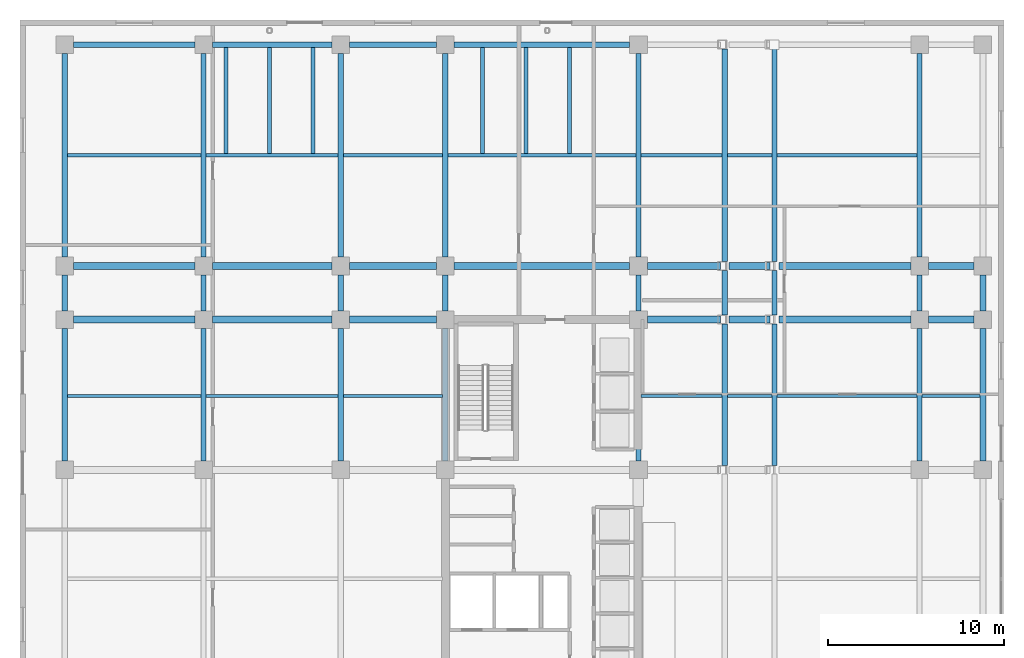
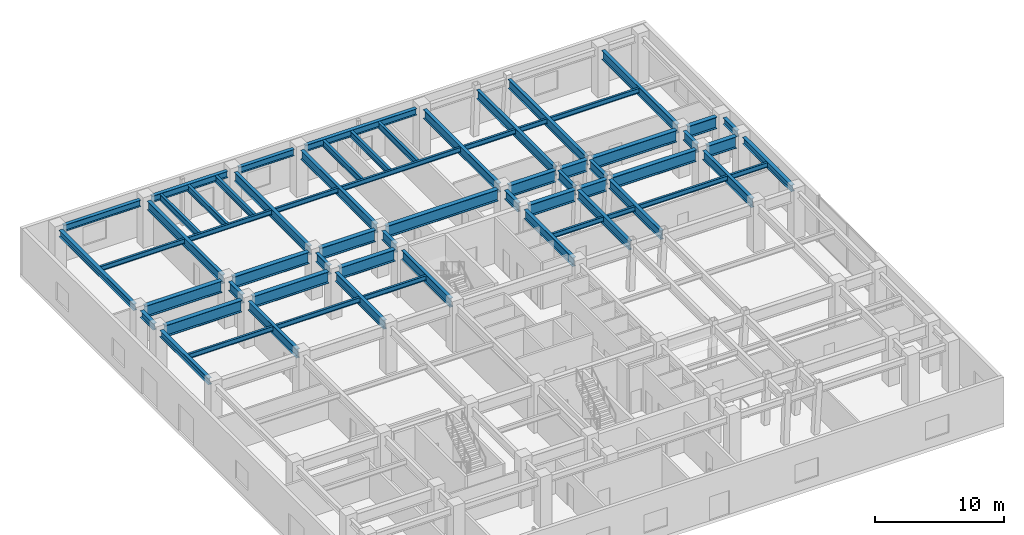
# One storey, part 6 of 13: 65 beams.
"""IFC4 building model written with IfcOpenShell, lengths in metres."""

from ifc_helpers import new_model, si_unit, direction, frame, origin, origin_2d, place, context, subcontext, project, spatial, i_section, extrude, material, material_profile, profile_set, type_object, element, save


model = new_model("IFC4")

# Units and contexts
model_context = context("Model", 3, precision=1e-05, world=origin(), true_north=direction((0.0, 1.0)))
body_context = subcontext(model_context, "Body", "Model", "MODEL_VIEW")
ifc_project = project(units=[si_unit("LENGTHUNIT", "METRE"), si_unit("AREAUNIT", "SQUARE_METRE"), si_unit("VOLUMEUNIT", "CUBIC_METRE"), si_unit("PLANEANGLEUNIT", "RADIAN"), si_unit("MASSUNIT", "GRAM", prefix="KILO")], contexts=[model_context])

# Site, building, storey
site_placement = place(None, origin())
site = spatial("IfcSite", under=ifc_project, at=site_placement, CompositionType="ELEMENT")
building_placement = place(site_placement, origin())
building = spatial("IfcBuilding", under=site, at=building_placement, Name="Ochreholt Gables", CompositionType="ELEMENT")
storey_placement = place(building_placement, origin())
storey = spatial("IfcBuildingStorey", under=building, at=storey_placement, Name="L00", CompositionType="ELEMENT", Elevation=0.0)

# Beams
ifc_material = material(Name="Steel CSA G40.21 350W", Category="steel")
ifc_material_profile_1 = material_profile(ifc_material, i_section(OverallWidth=0.39990234375, OverallDepth=1.10009765625, WebThickness=0.02001953125, FlangeThickness=0.035888671875, at=origin_2d()), Name="W1100X390")
ifc_profile_set_1 = profile_set([ifc_material_profile_1], Name="Steel CSA G40.21 350W")
beam_type_1 = type_object("IfcBeamType", Name="BM-G-W1100", PredefinedType="BEAM", material=ifc_profile_set_1)
beam_1_placement = place(storey_placement, frame((3.049560546875, 38.75, 3.840087890625), z_axis=(1.0, 0.0, 0.0), x_axis=(0.0, 1.0, 0.0)))
element("IfcBeam", 1, at=beam_1_placement, inside=storey, type_object=beam_type_1, Name="L00 Beam BG-L00-W1W2-Y5", PredefinedType="BEAM", context=body_context, shape_type="SweptSolid", body=[
    extrude(i_section(OverallWidth=0.39990234375, OverallDepth=1.10009765625, WebThickness=0.02001953125, FlangeThickness=0.035888671875, at=origin_2d()), origin(), (0.0, 0.0, 1.0), 6.90087890625),
])
beam_2_placement = place(storey_placement, frame((10.94970703125, 38.75, 3.840087890625), z_axis=(1.0, 0.0, 0.0), x_axis=(0.0, 1.0, 0.0)))
element("IfcBeam", 2, at=beam_2_placement, inside=storey, type_object=beam_type_1, Name="L00 Beam BG-L00-W2W3-Y5", PredefinedType="BEAM", context=body_context, shape_type="SweptSolid", body=[
    extrude(i_section(OverallWidth=0.39990234375, OverallDepth=1.10009765625, WebThickness=0.02001953125, FlangeThickness=0.035888671875, at=origin_2d()), origin(), (0.0, 0.0, 1.0), 6.80078125),
])
beam_3_placement = place(storey_placement, frame((18.74951171875, 38.75, 3.840087890625), z_axis=(1.0, 0.0, 0.0), x_axis=(0.0, 1.0, 0.0)))
element("IfcBeam", 3, at=beam_3_placement, inside=storey, type_object=beam_type_1, Name="L00 Beam BG-L00-W3C1-Y5", PredefinedType="BEAM", context=body_context, shape_type="SweptSolid", body=[
    extrude(i_section(OverallWidth=0.39990234375, OverallDepth=1.10009765625, WebThickness=0.02001953125, FlangeThickness=0.035888671875, at=origin_2d()), origin(), (0.0, 0.0, 1.0), 4.950927734375),
])
beam_4_placement = place(storey_placement, frame((35.69970703125, 38.75, 3.840087890625), z_axis=(1.0, 0.0, 0.0), x_axis=(0.0, 1.0, 0.0)))
element("IfcBeam", 4, at=beam_4_placement, inside=storey, type_object=beam_type_1, Name="L00 Beam BG-L00-C2EM-Y5", PredefinedType="BEAM", context=body_context, shape_type="SweptSolid", body=[
    extrude(i_section(OverallWidth=0.39990234375, OverallDepth=1.10009765625, WebThickness=0.02001953125, FlangeThickness=0.035888671875, at=origin_2d()), origin(), (0.0, 0.0, 1.0), 4.15478515625),
])
beam_5_placement = place(storey_placement, frame((40.353515625, 38.75, 3.840087890625), z_axis=(1.0, 0.0, 0.0), x_axis=(0.0, 1.0, 0.0)))
element("IfcBeam", 5, at=beam_5_placement, inside=storey, type_object=beam_type_1, Name="L00 Beam BG-L00-EMEE-Y5", PredefinedType="BEAM", context=body_context, shape_type="SweptSolid", body=[
    extrude(i_section(OverallWidth=0.39990234375, OverallDepth=1.10009765625, WebThickness=0.02001953125, FlangeThickness=0.035888671875, at=origin_2d()), origin(), (0.0, 0.0, 1.0), 2.33203125),
])
beam_6_placement = place(storey_placement, frame((43.184814453125, 38.75, 3.840087890625), z_axis=(1.0, 0.0, 0.0), x_axis=(0.0, 1.0, 0.0)))
element("IfcBeam", 6, at=beam_6_placement, inside=storey, type_object=beam_type_1, Name="L00 Beam BG-L00-EEE3-Y5", PredefinedType="BEAM", context=body_context, shape_type="SweptSolid", body=[
    extrude(i_section(OverallWidth=0.39990234375, OverallDepth=1.10009765625, WebThickness=0.02001953125, FlangeThickness=0.035888671875, at=origin_2d()), origin(), (0.0, 0.0, 1.0), 7.515625),
])
beam_7_placement = place(storey_placement, frame((51.69970703125, 38.75, 3.840087890625), z_axis=(1.0, 0.0, 0.0), x_axis=(0.0, 1.0, 0.0)))
element("IfcBeam", 7, at=beam_7_placement, inside=storey, type_object=beam_type_1, Name="L00 Beam BG-L00-E3E4-Y5", PredefinedType="BEAM", context=body_context, shape_type="SweptSolid", body=[
    extrude(i_section(OverallWidth=0.39990234375, OverallDepth=1.10009765625, WebThickness=0.02001953125, FlangeThickness=0.035888671875, at=origin_2d()), origin(), (0.0, 0.0, 1.0), 2.6005859375),
])
beam_8_placement = place(storey_placement, frame((3.049560546875, 41.800048828125, 3.840087890625), z_axis=(1.0, 0.0, 0.0), x_axis=(0.0, 1.0, 0.0)))
element("IfcBeam", 8, at=beam_8_placement, inside=storey, type_object=beam_type_1, Name="L00 Beam BG-L00-W1W2-Y6", PredefinedType="BEAM", context=body_context, shape_type="SweptSolid", body=[
    extrude(i_section(OverallWidth=0.39990234375, OverallDepth=1.10009765625, WebThickness=0.02001953125, FlangeThickness=0.035888671875, at=origin_2d()), origin(), (0.0, 0.0, 1.0), 6.90087890625),
])
beam_9_placement = place(storey_placement, frame((10.94970703125, 41.800048828125, 3.840087890625), z_axis=(1.0, 0.0, 0.0), x_axis=(0.0, 1.0, 0.0)))
element("IfcBeam", 9, at=beam_9_placement, inside=storey, type_object=beam_type_1, Name="L00 Beam BG-L00-W2W3-Y6", PredefinedType="BEAM", context=body_context, shape_type="SweptSolid", body=[
    extrude(i_section(OverallWidth=0.39990234375, OverallDepth=1.10009765625, WebThickness=0.02001953125, FlangeThickness=0.035888671875, at=origin_2d()), origin(), (0.0, 0.0, 1.0), 6.80078125),
])
beam_10_placement = place(storey_placement, frame((18.74951171875, 41.800048828125, 3.840087890625), z_axis=(1.0, 0.0, 0.0), x_axis=(0.0, 1.0, 0.0)))
element("IfcBeam", 10, at=beam_10_placement, inside=storey, type_object=beam_type_1, Name="L00 Beam BG-L00-W3C1-Y6", PredefinedType="BEAM", context=body_context, shape_type="SweptSolid", body=[
    extrude(i_section(OverallWidth=0.39990234375, OverallDepth=1.10009765625, WebThickness=0.02001953125, FlangeThickness=0.035888671875, at=origin_2d()), origin(), (0.0, 0.0, 1.0), 4.950927734375),
])
beam_11_placement = place(storey_placement, frame((24.69970703125, 41.800048828125, 3.840087890625), z_axis=(1.0, 0.0, 0.0), x_axis=(0.0, 1.0, 0.0)))
element("IfcBeam", 11, at=beam_11_placement, inside=storey, type_object=beam_type_1, Name="L00 Beam BG-L00-C1C2-Y6", PredefinedType="BEAM", context=body_context, shape_type="SweptSolid", body=[
    extrude(i_section(OverallWidth=0.39990234375, OverallDepth=1.10009765625, WebThickness=0.02001953125, FlangeThickness=0.035888671875, at=origin_2d()), origin(), (0.0, 0.0, 1.0), 10.000732421875),
])
beam_12_placement = place(storey_placement, frame((35.69970703125, 41.800048828125, 3.840087890625), z_axis=(1.0, 0.0, 0.0), x_axis=(0.0, 1.0, 0.0)))
element("IfcBeam", 12, at=beam_12_placement, inside=storey, type_object=beam_type_1, Name="L00 Beam BG-L00-C2EM-Y6", PredefinedType="BEAM", context=body_context, shape_type="SweptSolid", body=[
    extrude(i_section(OverallWidth=0.39990234375, OverallDepth=1.10009765625, WebThickness=0.02001953125, FlangeThickness=0.035888671875, at=origin_2d()), origin(), (0.0, 0.0, 1.0), 4.15478515625),
])
beam_13_placement = place(storey_placement, frame((40.353515625, 41.800048828125, 3.840087890625), z_axis=(1.0, 0.0, 0.0), x_axis=(0.0, 1.0, 0.0)))
element("IfcBeam", 13, at=beam_13_placement, inside=storey, type_object=beam_type_1, Name="L00 Beam BG-L00-EMEE-Y6", PredefinedType="BEAM", context=body_context, shape_type="SweptSolid", body=[
    extrude(i_section(OverallWidth=0.39990234375, OverallDepth=1.10009765625, WebThickness=0.02001953125, FlangeThickness=0.035888671875, at=origin_2d()), origin(), (0.0, 0.0, 1.0), 2.33203125),
])
beam_14_placement = place(storey_placement, frame((43.184814453125, 41.800048828125, 3.840087890625), z_axis=(1.0, 0.0, 0.0), x_axis=(0.0, 1.0, 0.0)))
element("IfcBeam", 14, at=beam_14_placement, inside=storey, type_object=beam_type_1, Name="L00 Beam BG-L00-EEE3-Y6", PredefinedType="BEAM", context=body_context, shape_type="SweptSolid", body=[
    extrude(i_section(OverallWidth=0.39990234375, OverallDepth=1.10009765625, WebThickness=0.02001953125, FlangeThickness=0.035888671875, at=origin_2d()), origin(), (0.0, 0.0, 1.0), 7.515625),
])
beam_15_placement = place(storey_placement, frame((51.69970703125, 41.800048828125, 3.840087890625), z_axis=(1.0, 0.0, 0.0), x_axis=(0.0, 1.0, 0.0)))
element("IfcBeam", 15, at=beam_15_placement, inside=storey, type_object=beam_type_1, Name="L00 Beam BG-L00-E3E4-Y6", PredefinedType="BEAM", context=body_context, shape_type="SweptSolid", body=[
    extrude(i_section(OverallWidth=0.39990234375, OverallDepth=1.10009765625, WebThickness=0.02001953125, FlangeThickness=0.035888671875, at=origin_2d()), origin(), (0.0, 0.0, 1.0), 2.6005859375),
])
ifc_material_profile_2 = material_profile(ifc_material, i_section(OverallWidth=0.22900390625, OverallDepth=0.612060546875, WebThickness=0.011962890625, FlangeThickness=0.01953125, at=origin_2d()), Name="W610X125")
ifc_profile_set_2 = profile_set([ifc_material_profile_2], Name="Steel CSA G40.21 350W")
beam_type_2 = type_object("IfcBeamType", Name="BM-G-W610B", PredefinedType="BEAM", material=ifc_profile_set_2)
for number, where, z_axis, x_axis, name in (
    (16, (11.719970703125, 48.194580078125, 4.083984375), (0.0, 1.0, 0.0), (-1.0, 0.0, 0.0), "L00 Beam BTG-L00-N1W"),
    (17, (14.199951171875, 48.194580078125, 4.083984375), (0.0, 1.0, 0.0), (-1.0, 0.0, 0.0), "L00 Beam BTG-L00-N1R"),
    (18, (16.679931640625, 48.194580078125, 4.083984375), (0.0, 1.0, 0.0), (-1.0, 0.0, 0.0), "L00 Beam BTG-L00-N1E"),
    (19, (26.320068359375, 48.194580078125, 4.083984375), (0.0, 1.0, 0.0), (-1.0, 0.0, 0.0), "L00 Beam BTG-L00-N2W"),
    (20, (28.800048828125, 48.194580078125, 4.083984375), (0.0, 1.0, 0.0), (-1.0, 0.0, 0.0), "L00 Beam BTG-L00-N2R"),
    (21, (31.280029296875, 48.194580078125, 4.083984375), (0.0, 1.0, 0.0), (-1.0, 0.0, 0.0), "L00 Beam BTG-L00-N2E"),
):
    element("IfcBeam", number, at=place(storey_placement, frame(where, z_axis=z_axis, x_axis=x_axis)), inside=storey, type_object=beam_type_2, Name=name, PredefinedType="BEAM", context=body_context, shape_type="SweptSolid", body=[
        extrude(i_section(OverallWidth=0.22900390625, OverallDepth=0.612060546875, WebThickness=0.011962890625, FlangeThickness=0.01953125, at=origin_2d()), origin(), (0.0, 0.0, 1.0), 6.043701171875),
    ])
ifc_material_profile_3 = material_profile(ifc_material, i_section(OverallWidth=0.2939453125, OverallDepth=0.85107421875, WebThickness=0.01611328125, FlangeThickness=0.02685546875, at=origin_2d()), Name="W840X226")
ifc_profile_set_3 = profile_set([ifc_material_profile_3], Name="Steel CSA G40.21 350W")
beam_type_3 = type_object("IfcBeamType", Name="BM-G-W840", PredefinedType="BEAM", material=ifc_profile_set_3)
beam_16_placement = place(storey_placement, frame((10.449951171875, 30.69970703125, 3.964599609375), z_axis=(0.0, 1.0, 0.0), x_axis=(-1.0, 0.0, 0.0)))
element("IfcBeam", 22, at=beam_16_placement, inside=storey, type_object=beam_type_3, Name="L00 Beam BG-L00-W2-Y4Y5", PredefinedType="BEAM", context=body_context, shape_type="SweptSolid", body=[
    extrude(i_section(OverallWidth=0.2939453125, OverallDepth=0.85107421875, WebThickness=0.01611328125, FlangeThickness=0.02685546875, at=origin_2d()), origin(), (0.0, 0.0, 1.0), 7.55078125),
])
beam_17_placement = place(storey_placement, frame((10.449951171875, 39.24951171875, 3.964599609375), z_axis=(0.0, 1.0, 0.0), x_axis=(-1.0, 0.0, 0.0)))
element("IfcBeam", 23, at=beam_17_placement, inside=storey, type_object=beam_type_3, Name="L00 Beam BG-L00-W2-Y5Y6", PredefinedType="BEAM", context=body_context, shape_type="SweptSolid", body=[
    extrude(i_section(OverallWidth=0.2939453125, OverallDepth=0.85107421875, WebThickness=0.01611328125, FlangeThickness=0.02685546875, at=origin_2d()), origin(), (0.0, 0.0, 1.0), 2.05078125),
])
beam_18_placement = place(storey_placement, frame((10.449951171875, 42.299560546875, 3.964599609375), z_axis=(0.0, 1.0, 0.0), x_axis=(-1.0, 0.0, 0.0)))
element("IfcBeam", 24, at=beam_18_placement, inside=storey, type_object=beam_type_3, Name="L00 Beam BG-L00-W2-Y6Y7", PredefinedType="BEAM", context=body_context, shape_type="SweptSolid", body=[
    extrude(i_section(OverallWidth=0.2939453125, OverallDepth=0.85107421875, WebThickness=0.01611328125, FlangeThickness=0.02685546875, at=origin_2d()), origin(), (0.0, 0.0, 1.0), 11.600830078125),
])
beam_19_placement = place(storey_placement, frame((18.25, 30.69970703125, 3.964599609375), z_axis=(0.0, 1.0, 0.0), x_axis=(-1.0, 0.0, 0.0)))
element("IfcBeam", 25, at=beam_19_placement, inside=storey, type_object=beam_type_3, Name="L00 Beam BG-L00-W3-Y4Y5", PredefinedType="BEAM", context=body_context, shape_type="SweptSolid", body=[
    extrude(i_section(OverallWidth=0.2939453125, OverallDepth=0.85107421875, WebThickness=0.01611328125, FlangeThickness=0.02685546875, at=origin_2d()), origin(), (0.0, 0.0, 1.0), 7.55078125),
])
beam_20_placement = place(storey_placement, frame((18.25, 39.24951171875, 3.964599609375), z_axis=(0.0, 1.0, 0.0), x_axis=(-1.0, 0.0, 0.0)))
element("IfcBeam", 26, at=beam_20_placement, inside=storey, type_object=beam_type_3, Name="L00 Beam BG-L00-W3-Y5Y6", PredefinedType="BEAM", context=body_context, shape_type="SweptSolid", body=[
    extrude(i_section(OverallWidth=0.2939453125, OverallDepth=0.85107421875, WebThickness=0.01611328125, FlangeThickness=0.02685546875, at=origin_2d()), origin(), (0.0, 0.0, 1.0), 2.05078125),
])
beam_21_placement = place(storey_placement, frame((18.25, 42.299560546875, 3.964599609375), z_axis=(0.0, 1.0, 0.0), x_axis=(-1.0, 0.0, 0.0)))
element("IfcBeam", 27, at=beam_21_placement, inside=storey, type_object=beam_type_3, Name="L00 Beam BG-L00-W3-Y6Y7", PredefinedType="BEAM", context=body_context, shape_type="SweptSolid", body=[
    extrude(i_section(OverallWidth=0.2939453125, OverallDepth=0.85107421875, WebThickness=0.01611328125, FlangeThickness=0.02685546875, at=origin_2d()), origin(), (0.0, 0.0, 1.0), 11.600830078125),
])
beam_22_placement = place(storey_placement, frame((24.199951171875, 30.69970703125, 3.964599609375), z_axis=(0.0, 1.0, 0.0), x_axis=(-1.0, 0.0, 0.0)))
element("IfcBeam", 28, at=beam_22_placement, inside=storey, type_object=beam_type_3, Name="L00 Beam BG-L00-C1-Y4Y5", PredefinedType="BEAM", context=body_context, shape_type="SweptSolid", body=[
    extrude(i_section(OverallWidth=0.2939453125, OverallDepth=0.85107421875, WebThickness=0.01611328125, FlangeThickness=0.02685546875, at=origin_2d()), origin(), (0.0, 0.0, 1.0), 7.55078125),
])
beam_23_placement = place(storey_placement, frame((24.199951171875, 39.24951171875, 3.964599609375), z_axis=(0.0, 1.0, 0.0), x_axis=(-1.0, 0.0, 0.0)))
element("IfcBeam", 29, at=beam_23_placement, inside=storey, type_object=beam_type_3, Name="L00 Beam BG-L00-C1-Y5Y6", PredefinedType="BEAM", context=body_context, shape_type="SweptSolid", body=[
    extrude(i_section(OverallWidth=0.2939453125, OverallDepth=0.85107421875, WebThickness=0.01611328125, FlangeThickness=0.02685546875, at=origin_2d()), origin(), (0.0, 0.0, 1.0), 2.05078125),
])
beam_24_placement = place(storey_placement, frame((24.199951171875, 42.299560546875, 3.964599609375), z_axis=(0.0, 1.0, 0.0), x_axis=(-1.0, 0.0, 0.0)))
element("IfcBeam", 30, at=beam_24_placement, inside=storey, type_object=beam_type_3, Name="L00 Beam BG-L00-C1-Y6Y7", PredefinedType="BEAM", context=body_context, shape_type="SweptSolid", body=[
    extrude(i_section(OverallWidth=0.2939453125, OverallDepth=0.85107421875, WebThickness=0.01611328125, FlangeThickness=0.02685546875, at=origin_2d()), origin(), (0.0, 0.0, 1.0), 11.600830078125),
])
beam_25_placement = place(storey_placement, frame((35.199951171875, 30.69970703125, 3.964599609375), z_axis=(0.0, 1.0, 0.0), x_axis=(-1.0, 0.0, 0.0)))
element("IfcBeam", 31, at=beam_25_placement, inside=storey, type_object=beam_type_3, Name="L00 Beam BG-L00-C2-Y4Y5", PredefinedType="BEAM", context=body_context, shape_type="SweptSolid", body=[
    extrude(i_section(OverallWidth=0.2939453125, OverallDepth=0.85107421875, WebThickness=0.01611328125, FlangeThickness=0.02685546875, at=origin_2d()), origin(), (0.0, 0.0, 1.0), 7.55078125),
])
beam_26_placement = place(storey_placement, frame((35.199951171875, 39.24951171875, 3.964599609375), z_axis=(0.0, 1.0, 0.0), x_axis=(-1.0, 0.0, 0.0)))
element("IfcBeam", 32, at=beam_26_placement, inside=storey, type_object=beam_type_3, Name="L00 Beam BG-L00-C2-Y5Y6", PredefinedType="BEAM", context=body_context, shape_type="SweptSolid", body=[
    extrude(i_section(OverallWidth=0.2939453125, OverallDepth=0.85107421875, WebThickness=0.01611328125, FlangeThickness=0.02685546875, at=origin_2d()), origin(), (0.0, 0.0, 1.0), 2.05078125),
])
beam_27_placement = place(storey_placement, frame((35.199951171875, 42.299560546875, 3.964599609375), z_axis=(0.0, 1.0, 0.0), x_axis=(-1.0, 0.0, 0.0)))
element("IfcBeam", 33, at=beam_27_placement, inside=storey, type_object=beam_type_3, Name="L00 Beam BG-L00-C2-Y6Y7", PredefinedType="BEAM", context=body_context, shape_type="SweptSolid", body=[
    extrude(i_section(OverallWidth=0.2939453125, OverallDepth=0.85107421875, WebThickness=0.01611328125, FlangeThickness=0.02685546875, at=origin_2d()), origin(), (0.0, 0.0, 1.0), 11.600830078125),
])
beam_28_placement = place(storey_placement, frame((40.10400390625, 30.44970703125, 3.964599609375), z_axis=(0.0, 1.0, 0.0), x_axis=(-1.0, 0.0, 0.0)))
element("IfcBeam", 34, at=beam_28_placement, inside=storey, type_object=beam_type_3, Name="L00 Beam BG-L00-EM-Y4Y5", PredefinedType="BEAM", context=body_context, shape_type="SweptSolid", body=[
    extrude(i_section(OverallWidth=0.2939453125, OverallDepth=0.85107421875, WebThickness=0.01611328125, FlangeThickness=0.02685546875, at=origin_2d()), origin(), (0.0, 0.0, 1.0), 8.05078125),
])
beam_29_placement = place(storey_placement, frame((40.10400390625, 38.99951171875, 3.964599609375), z_axis=(0.0, 1.0, 0.0), x_axis=(-1.0, 0.0, 0.0)))
element("IfcBeam", 35, at=beam_29_placement, inside=storey, type_object=beam_type_3, Name="L00 Beam BG-L00-EM-Y5Y6", PredefinedType="BEAM", context=body_context, shape_type="SweptSolid", body=[
    extrude(i_section(OverallWidth=0.2939453125, OverallDepth=0.85107421875, WebThickness=0.01611328125, FlangeThickness=0.02685546875, at=origin_2d()), origin(), (0.0, 0.0, 1.0), 2.55078125),
])
beam_30_placement = place(storey_placement, frame((40.10400390625, 42.049560546875, 3.964599609375), z_axis=(0.0, 1.0, 0.0), x_axis=(-1.0, 0.0, 0.0)))
element("IfcBeam", 36, at=beam_30_placement, inside=storey, type_object=beam_type_3, Name="L00 Beam BG-L00-EM-Y6Y7", PredefinedType="BEAM", context=body_context, shape_type="SweptSolid", body=[
    extrude(i_section(OverallWidth=0.2939453125, OverallDepth=0.85107421875, WebThickness=0.01611328125, FlangeThickness=0.02685546875, at=origin_2d()), origin(), (0.0, 0.0, 1.0), 12.100830078125),
])
beam_31_placement = place(storey_placement, frame((42.935302734375, 30.44970703125, 3.964599609375), z_axis=(0.0, 1.0, 0.0), x_axis=(-1.0, 0.0, 0.0)))
element("IfcBeam", 37, at=beam_31_placement, inside=storey, type_object=beam_type_3, Name="L00 Beam BG-L00-EE-Y4Y5", PredefinedType="BEAM", context=body_context, shape_type="SweptSolid", body=[
    extrude(i_section(OverallWidth=0.2939453125, OverallDepth=0.85107421875, WebThickness=0.01611328125, FlangeThickness=0.02685546875, at=origin_2d()), origin(), (0.0, 0.0, 1.0), 8.05078125),
])
beam_32_placement = place(storey_placement, frame((42.935302734375, 38.99951171875, 3.964599609375), z_axis=(0.0, 1.0, 0.0), x_axis=(-1.0, 0.0, 0.0)))
element("IfcBeam", 38, at=beam_32_placement, inside=storey, type_object=beam_type_3, Name="L00 Beam BG-L00-EE-Y5Y6", PredefinedType="BEAM", context=body_context, shape_type="SweptSolid", body=[
    extrude(i_section(OverallWidth=0.2939453125, OverallDepth=0.85107421875, WebThickness=0.01611328125, FlangeThickness=0.02685546875, at=origin_2d()), origin(), (0.0, 0.0, 1.0), 2.55078125),
])
beam_33_placement = place(storey_placement, frame((42.935302734375, 42.049560546875, 3.964599609375), z_axis=(0.0, 1.0, 0.0), x_axis=(-1.0, 0.0, 0.0)))
element("IfcBeam", 39, at=beam_33_placement, inside=storey, type_object=beam_type_3, Name="L00 Beam BG-L00-EE-Y6Y7", PredefinedType="BEAM", context=body_context, shape_type="SweptSolid", body=[
    extrude(i_section(OverallWidth=0.2939453125, OverallDepth=0.85107421875, WebThickness=0.01611328125, FlangeThickness=0.02685546875, at=origin_2d()), origin(), (0.0, 0.0, 1.0), 12.100830078125),
])
beam_34_placement = place(storey_placement, frame((51.199951171875, 30.69970703125, 3.964599609375), z_axis=(0.0, 1.0, 0.0), x_axis=(-1.0, 0.0, 0.0)))
element("IfcBeam", 40, at=beam_34_placement, inside=storey, type_object=beam_type_3, Name="L00 Beam BG-L00-E3-Y4Y5", PredefinedType="BEAM", context=body_context, shape_type="SweptSolid", body=[
    extrude(i_section(OverallWidth=0.2939453125, OverallDepth=0.85107421875, WebThickness=0.01611328125, FlangeThickness=0.02685546875, at=origin_2d()), origin(), (0.0, 0.0, 1.0), 7.55078125),
])
beam_35_placement = place(storey_placement, frame((51.199951171875, 39.24951171875, 3.964599609375), z_axis=(0.0, 1.0, 0.0), x_axis=(-1.0, 0.0, 0.0)))
element("IfcBeam", 41, at=beam_35_placement, inside=storey, type_object=beam_type_3, Name="L00 Beam BG-L00-E3-Y5Y6", PredefinedType="BEAM", context=body_context, shape_type="SweptSolid", body=[
    extrude(i_section(OverallWidth=0.2939453125, OverallDepth=0.85107421875, WebThickness=0.01611328125, FlangeThickness=0.02685546875, at=origin_2d()), origin(), (0.0, 0.0, 1.0), 2.05078125),
])
beam_36_placement = place(storey_placement, frame((51.199951171875, 42.299560546875, 3.964599609375), z_axis=(0.0, 1.0, 0.0), x_axis=(-1.0, 0.0, 0.0)))
element("IfcBeam", 42, at=beam_36_placement, inside=storey, type_object=beam_type_3, Name="L00 Beam BG-L00-E3-Y6Y7", PredefinedType="BEAM", context=body_context, shape_type="SweptSolid", body=[
    extrude(i_section(OverallWidth=0.2939453125, OverallDepth=0.85107421875, WebThickness=0.01611328125, FlangeThickness=0.02685546875, at=origin_2d()), origin(), (0.0, 0.0, 1.0), 11.600830078125),
])
ifc_material_profile_4 = material_profile(ifc_material, i_section(OverallWidth=0.18994140625, OverallDepth=0.45703125, WebThickness=0.009033203125, FlangeThickness=0.014404296875, at=origin_2d()), Name="W460X74")
ifc_profile_set_4 = profile_set([ifc_material_profile_4], Name="Steel CSA G40.21 350W")
beam_type_4 = type_object("IfcBeamType", Name="BM-J-W460B", PredefinedType="JOIST", material=ifc_profile_set_4)
beam_37_placement = place(storey_placement, frame((2.711669921875, 34.39990234375, 4.16162109375), z_axis=(1.0, 0.0, 0.0), x_axis=(0.0, 1.0, 0.0)))
element("IfcBeam", 43, at=beam_37_placement, inside=storey, type_object=beam_type_4, Name="L00 Beam BJ-L00-J3-W1W2", PredefinedType="JOIST", context=body_context, shape_type="SweptSolid", body=[
    extrude(i_section(OverallWidth=0.18994140625, OverallDepth=0.45703125, WebThickness=0.009033203125, FlangeThickness=0.014404296875, at=origin_2d()), origin(), (0.0, 0.0, 1.0), 7.591796875),
])
beam_38_placement = place(storey_placement, frame((10.5966796875, 34.39990234375, 4.16162109375), z_axis=(1.0, 0.0, 0.0), x_axis=(0.0, 1.0, 0.0)))
element("IfcBeam", 44, at=beam_38_placement, inside=storey, type_object=beam_type_4, Name="L00 Beam BJ-L00-J3-W2W3", PredefinedType="JOIST", context=body_context, shape_type="SweptSolid", body=[
    extrude(i_section(OverallWidth=0.18994140625, OverallDepth=0.45703125, WebThickness=0.009033203125, FlangeThickness=0.014404296875, at=origin_2d()), origin(), (0.0, 0.0, 1.0), 7.5068359375),
])
beam_39_placement = place(storey_placement, frame((18.396484375, 34.39990234375, 4.16162109375), z_axis=(1.0, 0.0, 0.0), x_axis=(0.0, 1.0, 0.0)))
element("IfcBeam", 45, at=beam_39_placement, inside=storey, type_object=beam_type_4, Name="L00 Beam BJ-L00-J3-W3C1", PredefinedType="JOIST", context=body_context, shape_type="SweptSolid", body=[
    extrude(i_section(OverallWidth=0.18994140625, OverallDepth=0.45703125, WebThickness=0.009033203125, FlangeThickness=0.014404296875, at=origin_2d()), origin(), (0.0, 0.0, 1.0), 5.656982421875),
])
beam_40_placement = place(storey_placement, frame((35.3466796875, 34.39990234375, 4.16162109375), z_axis=(1.0, 0.0, 0.0), x_axis=(0.0, 1.0, 0.0)))
element("IfcBeam", 46, at=beam_40_placement, inside=storey, type_object=beam_type_4, Name="L00 Beam BJ-L00-J3-C2EM", PredefinedType="JOIST", context=body_context, shape_type="SweptSolid", body=[
    extrude(i_section(OverallWidth=0.18994140625, OverallDepth=0.45703125, WebThickness=0.009033203125, FlangeThickness=0.014404296875, at=origin_2d()), origin(), (0.0, 0.0, 1.0), 4.61083984375),
])
beam_41_placement = place(storey_placement, frame((40.25048828125, 34.39990234375, 4.16162109375), z_axis=(1.0, 0.0, 0.0), x_axis=(0.0, 1.0, 0.0)))
element("IfcBeam", 47, at=beam_41_placement, inside=storey, type_object=beam_type_4, Name="L00 Beam BJ-L00-J3-EMEE", PredefinedType="JOIST", context=body_context, shape_type="SweptSolid", body=[
    extrude(i_section(OverallWidth=0.18994140625, OverallDepth=0.45703125, WebThickness=0.009033203125, FlangeThickness=0.014404296875, at=origin_2d()), origin(), (0.0, 0.0, 1.0), 2.5380859375),
])
beam_42_placement = place(storey_placement, frame((43.081787109375, 34.39990234375, 4.16162109375), z_axis=(1.0, 0.0, 0.0), x_axis=(0.0, 1.0, 0.0)))
element("IfcBeam", 48, at=beam_42_placement, inside=storey, type_object=beam_type_4, Name="L00 Beam BJ-L00-J3-EEE3", PredefinedType="JOIST", context=body_context, shape_type="SweptSolid", body=[
    extrude(i_section(OverallWidth=0.18994140625, OverallDepth=0.45703125, WebThickness=0.009033203125, FlangeThickness=0.014404296875, at=origin_2d()), origin(), (0.0, 0.0, 1.0), 7.9716796875),
])
beam_43_placement = place(storey_placement, frame((51.3466796875, 34.39990234375, 4.16162109375), z_axis=(1.0, 0.0, 0.0), x_axis=(0.0, 1.0, 0.0)))
element("IfcBeam", 49, at=beam_43_placement, inside=storey, type_object=beam_type_4, Name="L00 Beam BJ-L00-J3-E3E4", PredefinedType="JOIST", context=body_context, shape_type="SweptSolid", body=[
    extrude(i_section(OverallWidth=0.18994140625, OverallDepth=0.45703125, WebThickness=0.009033203125, FlangeThickness=0.014404296875, at=origin_2d()), origin(), (0.0, 0.0, 1.0), 3.291748046875),
])
beam_44_placement = place(storey_placement, frame((2.711669921875, 48.10009765625, 4.16162109375), z_axis=(1.0, 0.0, 0.0), x_axis=(0.0, 1.0, 0.0)))
element("IfcBeam", 50, at=beam_44_placement, inside=storey, type_object=beam_type_4, Name="L00 Beam BJ-L00-J4-W1W2", PredefinedType="JOIST", context=body_context, shape_type="SweptSolid", body=[
    extrude(i_section(OverallWidth=0.18994140625, OverallDepth=0.45703125, WebThickness=0.009033203125, FlangeThickness=0.014404296875, at=origin_2d()), origin(), (0.0, 0.0, 1.0), 7.591796875),
])
beam_45_placement = place(storey_placement, frame((10.5966796875, 48.10009765625, 4.16162109375), z_axis=(1.0, 0.0, 0.0), x_axis=(0.0, 1.0, 0.0)))
element("IfcBeam", 51, at=beam_45_placement, inside=storey, type_object=beam_type_4, Name="L00 Beam BJ-L00-J4-W2W3", PredefinedType="JOIST", context=body_context, shape_type="SweptSolid", body=[
    extrude(i_section(OverallWidth=0.18994140625, OverallDepth=0.45703125, WebThickness=0.009033203125, FlangeThickness=0.014404296875, at=origin_2d()), origin(), (0.0, 0.0, 1.0), 7.5068359375),
])
beam_46_placement = place(storey_placement, frame((18.396484375, 48.10009765625, 4.16162109375), z_axis=(1.0, 0.0, 0.0), x_axis=(0.0, 1.0, 0.0)))
element("IfcBeam", 52, at=beam_46_placement, inside=storey, type_object=beam_type_4, Name="L00 Beam BJ-L00-J4-W3C1", PredefinedType="JOIST", context=body_context, shape_type="SweptSolid", body=[
    extrude(i_section(OverallWidth=0.18994140625, OverallDepth=0.45703125, WebThickness=0.009033203125, FlangeThickness=0.014404296875, at=origin_2d()), origin(), (0.0, 0.0, 1.0), 5.656982421875),
])
beam_47_placement = place(storey_placement, frame((24.3466796875, 48.10009765625, 4.16162109375), z_axis=(1.0, 0.0, 0.0), x_axis=(0.0, 1.0, 0.0)))
element("IfcBeam", 53, at=beam_47_placement, inside=storey, type_object=beam_type_4, Name="L00 Beam BJ-L00-J4-C1C2", PredefinedType="JOIST", context=body_context, shape_type="SweptSolid", body=[
    extrude(i_section(OverallWidth=0.18994140625, OverallDepth=0.45703125, WebThickness=0.009033203125, FlangeThickness=0.014404296875, at=origin_2d()), origin(), (0.0, 0.0, 1.0), 10.706787109375),
])
beam_48_placement = place(storey_placement, frame((35.3466796875, 48.10009765625, 4.16162109375), z_axis=(1.0, 0.0, 0.0), x_axis=(0.0, 1.0, 0.0)))
element("IfcBeam", 54, at=beam_48_placement, inside=storey, type_object=beam_type_4, Name="L00 Beam BJ-L00-J4-C2EM", PredefinedType="JOIST", context=body_context, shape_type="SweptSolid", body=[
    extrude(i_section(OverallWidth=0.18994140625, OverallDepth=0.45703125, WebThickness=0.009033203125, FlangeThickness=0.014404296875, at=origin_2d()), origin(), (0.0, 0.0, 1.0), 4.61083984375),
])
beam_49_placement = place(storey_placement, frame((40.25048828125, 48.10009765625, 4.16162109375), z_axis=(1.0, 0.0, 0.0), x_axis=(0.0, 1.0, 0.0)))
element("IfcBeam", 55, at=beam_49_placement, inside=storey, type_object=beam_type_4, Name="L00 Beam BJ-L00-J4-EMEE", PredefinedType="JOIST", context=body_context, shape_type="SweptSolid", body=[
    extrude(i_section(OverallWidth=0.18994140625, OverallDepth=0.45703125, WebThickness=0.009033203125, FlangeThickness=0.014404296875, at=origin_2d()), origin(), (0.0, 0.0, 1.0), 2.5380859375),
])
beam_50_placement = place(storey_placement, frame((43.081787109375, 48.10009765625, 4.16162109375), z_axis=(1.0, 0.0, 0.0), x_axis=(0.0, 1.0, 0.0)))
element("IfcBeam", 56, at=beam_50_placement, inside=storey, type_object=beam_type_4, Name="L00 Beam BJ-L00-J4-EEE3", PredefinedType="JOIST", context=body_context, shape_type="SweptSolid", body=[
    extrude(i_section(OverallWidth=0.18994140625, OverallDepth=0.45703125, WebThickness=0.009033203125, FlangeThickness=0.014404296875, at=origin_2d()), origin(), (0.0, 0.0, 1.0), 7.9716796875),
])
ifc_material_profile_5 = material_profile(ifc_material, i_section(OverallWidth=0.323974609375, OverallDepth=0.611083984375, WebThickness=0.0126953125, FlangeThickness=0.01904296875, at=origin_2d()), Name="W610X155")
ifc_profile_set_5 = profile_set([ifc_material_profile_5], Name="Steel CSA G40.21 350W")
beam_type_5 = type_object("IfcBeamType", Name="BM-SP-W610", PredefinedType="SPANDREL", material=ifc_profile_set_5)
beam_51_placement = place(storey_placement, frame((3.049560546875, 54.39990234375, 4.08447265625), z_axis=(1.0, 0.0, 0.0), x_axis=(0.0, 1.0, 0.0)))
element("IfcBeam", 57, at=beam_51_placement, inside=storey, type_object=beam_type_5, Name="L00 Beam BG-L00-W1W2-Y7", PredefinedType="SPANDREL", context=body_context, shape_type="SweptSolid", body=[
    extrude(i_section(OverallWidth=0.323974609375, OverallDepth=0.611083984375, WebThickness=0.0126953125, FlangeThickness=0.01904296875, at=origin_2d()), origin(), (0.0, 0.0, 1.0), 6.90087890625),
])
beam_52_placement = place(storey_placement, frame((10.94970703125, 54.39990234375, 4.08447265625), z_axis=(1.0, 0.0, 0.0), x_axis=(0.0, 1.0, 0.0)))
element("IfcBeam", 58, at=beam_52_placement, inside=storey, type_object=beam_type_5, Name="L00 Beam BG-L00-W2W3-Y7", PredefinedType="SPANDREL", context=body_context, shape_type="SweptSolid", body=[
    extrude(i_section(OverallWidth=0.323974609375, OverallDepth=0.611083984375, WebThickness=0.0126953125, FlangeThickness=0.01904296875, at=origin_2d()), origin(), (0.0, 0.0, 1.0), 6.80078125),
])
beam_53_placement = place(storey_placement, frame((18.74951171875, 54.39990234375, 4.08447265625), z_axis=(1.0, 0.0, 0.0), x_axis=(0.0, 1.0, 0.0)))
element("IfcBeam", 59, at=beam_53_placement, inside=storey, type_object=beam_type_5, Name="L00 Beam BG-L00-W3C1-Y7", PredefinedType="SPANDREL", context=body_context, shape_type="SweptSolid", body=[
    extrude(i_section(OverallWidth=0.323974609375, OverallDepth=0.611083984375, WebThickness=0.0126953125, FlangeThickness=0.01904296875, at=origin_2d()), origin(), (0.0, 0.0, 1.0), 4.950927734375),
])
beam_54_placement = place(storey_placement, frame((24.69970703125, 54.39990234375, 4.08447265625), z_axis=(1.0, 0.0, 0.0), x_axis=(0.0, 1.0, 0.0)))
element("IfcBeam", 60, at=beam_54_placement, inside=storey, type_object=beam_type_5, Name="L00 Beam BG-L00-C1C2-Y7", PredefinedType="SPANDREL", context=body_context, shape_type="SweptSolid", body=[
    extrude(i_section(OverallWidth=0.323974609375, OverallDepth=0.611083984375, WebThickness=0.0126953125, FlangeThickness=0.01904296875, at=origin_2d()), origin(), (0.0, 0.0, 1.0), 10.000732421875),
])
beam_55_placement = place(storey_placement, frame((2.550048828125, 30.69970703125, 4.08447265625), z_axis=(0.0, 1.0, 0.0), x_axis=(-1.0, 0.0, 0.0)))
element("IfcBeam", 61, at=beam_55_placement, inside=storey, type_object=beam_type_5, Name="L00 Beam BG-L00-W1-Y4Y5", PredefinedType="SPANDREL", context=body_context, shape_type="SweptSolid", body=[
    extrude(i_section(OverallWidth=0.323974609375, OverallDepth=0.611083984375, WebThickness=0.0126953125, FlangeThickness=0.01904296875, at=origin_2d()), origin(), (0.0, 0.0, 1.0), 7.55078125),
])
beam_56_placement = place(storey_placement, frame((2.550048828125, 39.24951171875, 4.08447265625), z_axis=(0.0, 1.0, 0.0), x_axis=(-1.0, 0.0, 0.0)))
element("IfcBeam", 62, at=beam_56_placement, inside=storey, type_object=beam_type_5, Name="L00 Beam BG-L00-W1-Y5Y6", PredefinedType="SPANDREL", context=body_context, shape_type="SweptSolid", body=[
    extrude(i_section(OverallWidth=0.323974609375, OverallDepth=0.611083984375, WebThickness=0.0126953125, FlangeThickness=0.01904296875, at=origin_2d()), origin(), (0.0, 0.0, 1.0), 2.05078125),
])
beam_57_placement = place(storey_placement, frame((2.550048828125, 42.299560546875, 4.08447265625), z_axis=(0.0, 1.0, 0.0), x_axis=(-1.0, 0.0, 0.0)))
element("IfcBeam", 63, at=beam_57_placement, inside=storey, type_object=beam_type_5, Name="L00 Beam BG-L00-W1-Y6Y7", PredefinedType="SPANDREL", context=body_context, shape_type="SweptSolid", body=[
    extrude(i_section(OverallWidth=0.323974609375, OverallDepth=0.611083984375, WebThickness=0.0126953125, FlangeThickness=0.01904296875, at=origin_2d()), origin(), (0.0, 0.0, 1.0), 11.600830078125),
])
beam_58_placement = place(storey_placement, frame((54.800048828125, 30.69970703125, 4.08447265625), z_axis=(0.0, 1.0, 0.0), x_axis=(-1.0, 0.0, 0.0)))
element("IfcBeam", 64, at=beam_58_placement, inside=storey, type_object=beam_type_5, Name="L00 Beam BG-L00-E4-Y4Y5", PredefinedType="SPANDREL", context=body_context, shape_type="SweptSolid", body=[
    extrude(i_section(OverallWidth=0.323974609375, OverallDepth=0.611083984375, WebThickness=0.0126953125, FlangeThickness=0.01904296875, at=origin_2d()), origin(), (0.0, 0.0, 1.0), 7.55078125),
])
beam_59_placement = place(storey_placement, frame((54.800048828125, 39.24951171875, 4.08447265625), z_axis=(0.0, 1.0, 0.0), x_axis=(-1.0, 0.0, 0.0)))
element("IfcBeam", 65, at=beam_59_placement, inside=storey, type_object=beam_type_5, Name="L00 Beam BG-L00-E4-Y5Y6", PredefinedType="SPANDREL", context=body_context, shape_type="SweptSolid", body=[
    extrude(i_section(OverallWidth=0.323974609375, OverallDepth=0.611083984375, WebThickness=0.0126953125, FlangeThickness=0.01904296875, at=origin_2d()), origin(), (0.0, 0.0, 1.0), 2.05078125),
])

save(model, "model.ifc")
